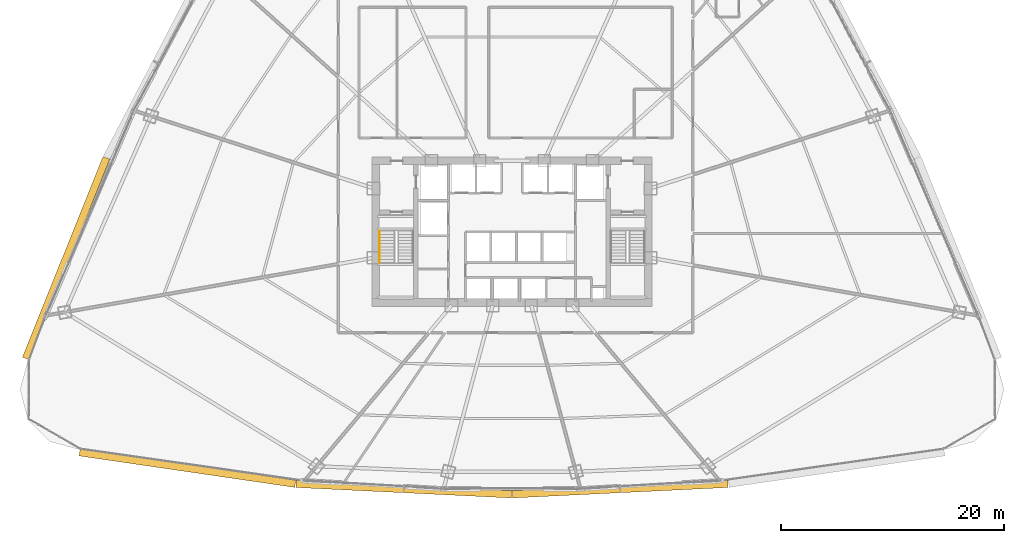
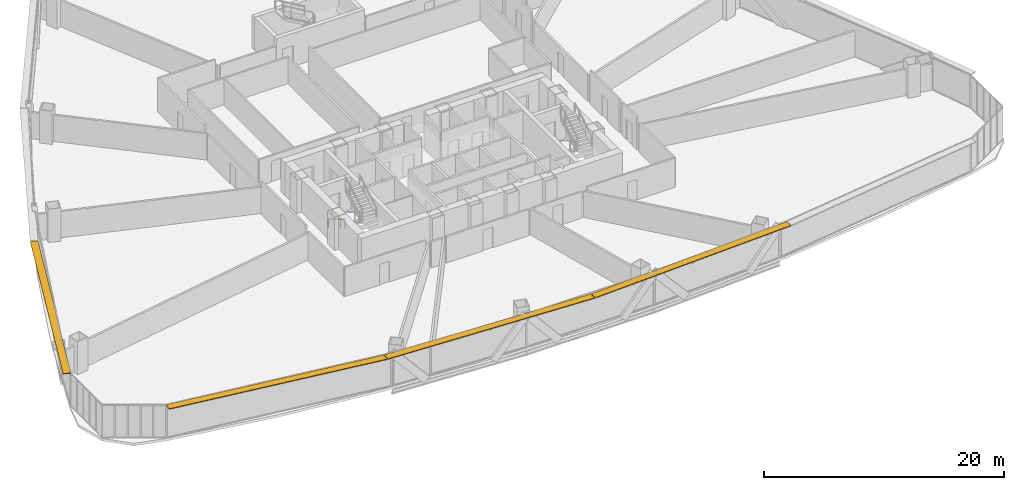
# One storey, part 39 of 42: 4 shading devices, 1 railing.
"""IFC4 building model written with IfcOpenShell, lengths in metres."""

from ifc_helpers import new_model, si_unit, direction, frame, origin, origin_2d, place, context, subcontext, project, spatial, rectangle, extrude, source, transform, mapped, material, layer, layer_set, type_object, element, save


model = new_model("IFC4")

# Units and contexts
model_context = context("Model", 3, precision=1e-05, world=origin(), true_north=direction((0.0, 1.0)))
body_context = subcontext(model_context, "Body", "Model", "MODEL_VIEW")
ifc_project = project(units=[si_unit("LENGTHUNIT", "METRE"), si_unit("AREAUNIT", "SQUARE_METRE"), si_unit("VOLUMEUNIT", "CUBIC_METRE"), si_unit("PLANEANGLEUNIT", "RADIAN"), si_unit("MASSUNIT", "GRAM", prefix="KILO"), si_unit("THERMODYNAMICTEMPERATUREUNIT", "KELVIN"), si_unit("POWERUNIT", "WATT")], contexts=[model_context])

# Site, building, storey
site_placement = place(None, origin())
site = spatial("IfcSite", under=ifc_project, at=site_placement, CompositionType="ELEMENT")
building_placement = place(site_placement, origin())
building = spatial("IfcBuilding", under=site, at=building_placement, Name="Yunzhuo Pagoda Commons", CompositionType="ELEMENT")
storey_placement = place(building_placement, frame((0.0, 0.0, 44.919921875)))
storey = spatial("IfcBuildingStorey", under=building, at=storey_placement, Name="L11", CompositionType="ELEMENT", Elevation=44.919921875)

# Railing
ifc_material = material(Name="Anodized aluminium 6063-T6", Category="aluminium")
railing_type = type_object("IfcRailingType", Name="HR-ST1 Stair Handrail 900", PredefinedType="HANDRAIL", material=ifc_material)
railing_placement = place(storey_placement, frame((36.14990234375, 33.89990234375, 0.1650390625)))
element("IfcRailing", 1, at=railing_placement, inside=storey, type_object=railing_type, Name="L11 ST1 stair handrail 1", PredefinedType="HANDRAIL", context=body_context, shape_type="SweptSolid", body=[
    extrude(rectangle(XDim=0.048095703125, YDim=0.048095703125, at=origin_2d()), frame((0.0, 0.0, 0.8759765625), z_axis=(0.0, -0.861503254194, 0.507752048753), x_axis=(1.0, 0.0, 0.0)), (0.0, 0.0, 1.0), 3.25),
    extrude(rectangle(XDim=0.0419921875, YDim=0.0419921875, at=origin_2d()), origin(), (0.0, 0.0, 1.0), 0.851806640625),
    extrude(rectangle(XDim=0.0419921875, YDim=0.0419921875, at=origin_2d()), frame((0.0, -2.067626953125, 1.218505859375)), (0.0, 0.0, 1.0), 0.851806640625),
    extrude(rectangle(XDim=0.0419921875, YDim=0.0419921875, at=origin_2d()), frame((0.0, -2.7998046875, 1.650146484375)), (0.0, 0.0, 1.0), 0.851806640625),
])

# Shading devices
ifc_layer = layer(ifc_material, 0.080078125)
ifc_layer_set = layer_set([ifc_layer], Name="Anodized aluminium 6063-T6")
shading_device_type = type_object("IfcShadingDeviceType", Name="SH-SUN1 Pagoda Horizontal Sunshade Eave 650", PredefinedType="USERDEFINED", material=ifc_layer_set)
shared_shape_1 = source(origin(), body_context, "Body", "SweptSolid", [
    extrude(rectangle(XDim=19.519287109375, YDim=0.64990234375, at=origin_2d()), origin(), (0.0, 0.0, 1.0), 0.080078125),
])
shading_device_1_placement = place(storey_placement, frame((18.93408203125, 12.681884765625, 3.2900390625), z_axis=(0.0, 0.0, 1.0), x_axis=(0.989510666697, -0.144459823108, 0.0)))
element("IfcShadingDevice", 2, at=shading_device_1_placement, inside=storey, type_object=shading_device_type, Name="L11 horizontal pagoda sunshade eave F1.1", ObjectType="SUNSHADE", PredefinedType="USERDEFINED", context=body_context, shape_type="MappedRepresentation", body=[
    mapped(shared_shape_1, transform((0.0, 0.0, 0.0), scale=1.0)),
])
shared_shape_2 = source(origin(), body_context, "Body", "SweptSolid", [
    extrude(rectangle(XDim=19.3369140625, YDim=0.64990234375, at=origin_2d()), origin(), (0.0, 0.0, 1.0), 0.080078125),
])
for number, where, z_axis, x_axis, name in (
    (3, (38.311279296875, 10.796142578125, 3.2900390625), (0.0, 0.0, 1.0), (0.998818043775, -0.04860571396, 0.0), "L11 horizontal pagoda sunshade eave F1.2"),
    (4, (57.688720703125, 10.796142578125, 3.2900390625), (0.0, 0.0, 1.0), (0.998818043775, 0.04860571396, 0.0), "L11 horizontal pagoda sunshade eave F1.3"),
):
    element("IfcShadingDevice", number, at=place(storey_placement, frame(where, z_axis=z_axis, x_axis=x_axis)), inside=storey, type_object=shading_device_type, Name=name, ObjectType="SUNSHADE", PredefinedType="USERDEFINED", context=body_context, shape_type="MappedRepresentation", body=[
        mapped(shared_shape_2, transform((0.0, 0.0, 0.0), scale=1.0)),
    ])
shared_shape_3 = source(origin(), body_context, "Body", "SweptSolid", [
    extrude(rectangle(XDim=19.3623046875, YDim=0.64990234375, at=origin_2d()), origin(), (0.0, 0.0, 1.0), 0.080078125),
])
shading_device_2_placement = place(storey_placement, frame((8.064208984375, 31.47509765625, 3.2900390625), z_axis=(0.0, 0.0, 1.0), x_axis=(-0.372987782576, -0.927836253899, 0.0)))
element("IfcShadingDevice", 5, at=shading_device_2_placement, inside=storey, type_object=shading_device_type, Name="L11 horizontal pagoda sunshade eave F3.4", ObjectType="SUNSHADE", PredefinedType="USERDEFINED", context=body_context, shape_type="MappedRepresentation", body=[
    mapped(shared_shape_3, transform((0.0, 0.0, 0.0), scale=1.0)),
])

save(model, "model.ifc")
